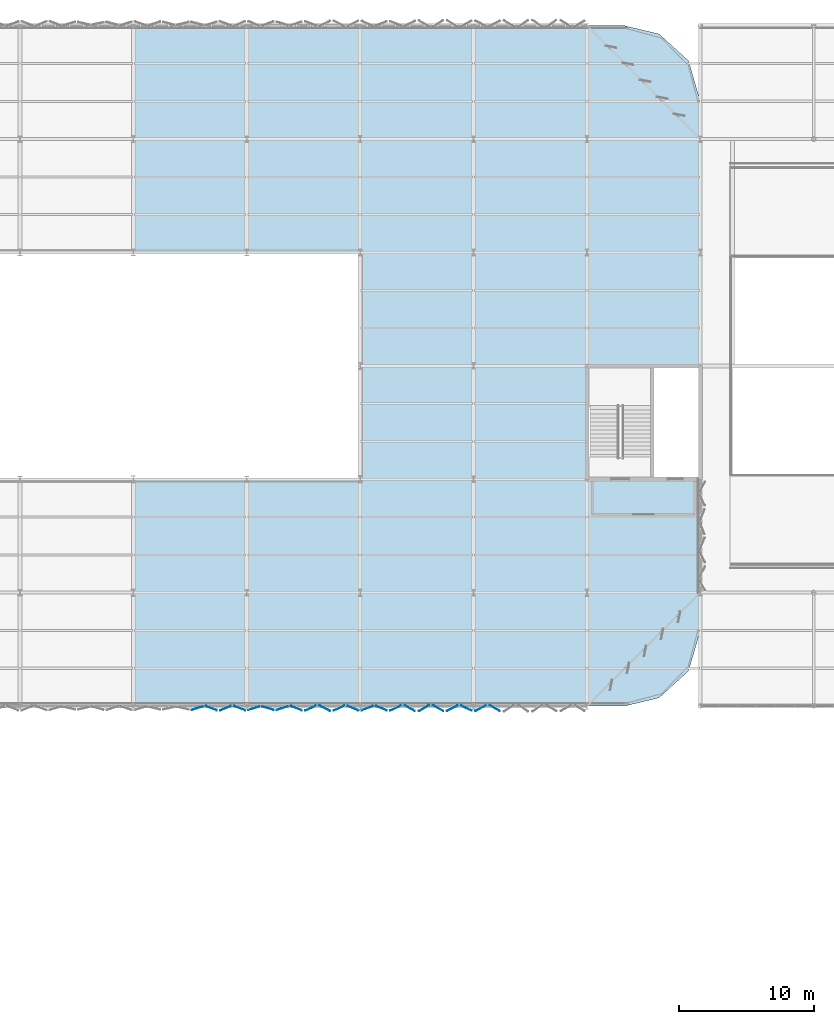
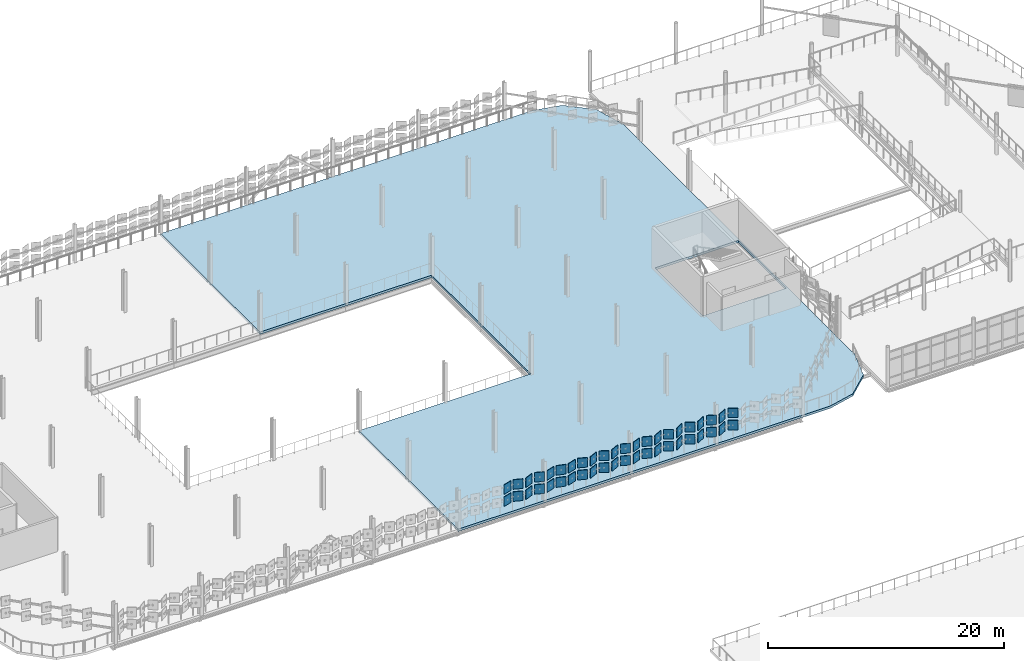
# One storey, part 40 of 69: 44 plates, 1 slab.
"""IFC4 building model written with IfcOpenShell, lengths in metres."""

from ifc_helpers import new_model, si_unit, direction, frame, origin, origin_2d, place, context, subcontext, project, spatial, polyline, rectangle, outline, extrude, material, layer, layer_set, type_object, element, save


model = new_model("IFC4")

# Units and contexts
model_context = context("Model", 3, precision=1e-05, world=origin(), true_north=direction((0.0, 1.0)))
body_context = subcontext(model_context, "Body", "Model", "MODEL_VIEW")
ifc_project = project(units=[si_unit("LENGTHUNIT", "METRE"), si_unit("AREAUNIT", "SQUARE_METRE"), si_unit("VOLUMEUNIT", "CUBIC_METRE"), si_unit("PLANEANGLEUNIT", "RADIAN"), si_unit("MASSUNIT", "GRAM", prefix="KILO")], contexts=[model_context])

# Site, building, storey
site_placement = place(None, origin())
site = spatial("IfcSite", under=ifc_project, at=site_placement, CompositionType="ELEMENT")
building_placement = place(site_placement, origin())
building = spatial("IfcBuilding", under=site, at=building_placement, Name="Qalvenar Corner Mobility Hub", CompositionType="ELEMENT")
storey_placement = place(building_placement, frame((0.0, 0.0, 13.199951171875)))
storey = spatial("IfcBuildingStorey", under=building, at=storey_placement, Name="L03", CompositionType="ELEMENT", Elevation=13.199951171875)

# Plates
ifc_material_1 = material(Name="Verdigris-Celadon Anodised Aluminium", Category="aluminium")
ifc_layer_1 = layer(ifc_material_1, 0.0419921875)
ifc_layer_set_1 = layer_set([ifc_layer_1], Name="Verdigris-Celadon Anodised Aluminium")
plate_type = type_object("IfcPlateType", Name="PLT-XC-L3-STD", PredefinedType="SHEET", material=ifc_layer_set_1)
for number, where, z_axis, x_axis, name in (
    (1, (105.52490234375, 67.0400390625, 1.010009765625), (0.0, 0.0, 1.0), (0.95767190194, 0.287861995122, 0.0), "Hinged Facade Panel FP-L03-0793"),
    (2, (105.52490234375, 67.0400390625, 2.260009765625), (0.0, 0.0, 1.0), (0.95767190194, 0.287861995122, 0.0), "Hinged Facade Panel FP-L03-0794"),
    (3, (106.574951171875, 67.0400390625, 1.010009765625), (0.0, 0.0, 1.0), (0.935936662809, -0.352168373381, 0.0), "Hinged Facade Panel FP-L03-0795"),
    (4, (106.574951171875, 67.0400390625, 2.260009765625), (0.0, 0.0, 1.0), (0.935936662809, -0.352168373381, 0.0), "Hinged Facade Panel FP-L03-0796"),
    (5, (107.625, 67.0400390625, 1.010009765625), (0.0, 0.0, 1.0), (0.924944582565, 0.38010198524, 0.0), "Hinged Facade Panel FP-L03-0797"),
    (6, (107.625, 67.0400390625, 2.260009765625), (0.0, 0.0, 1.0), (0.924944582565, 0.38010198524, 0.0), "Hinged Facade Panel FP-L03-0798"),
    (7, (108.675048828125, 67.0400390625, 1.010009765625), (0.0, 0.0, 1.0), (0.933204632634, -0.359345396006, 0.0), "Hinged Facade Panel FP-L03-0799"),
    (8, (108.675048828125, 67.0400390625, 2.260009765625), (0.0, 0.0, 1.0), (0.933204632634, -0.359345396006, 0.0), "Hinged Facade Panel FP-L03-0800"),
    (9, (109.72509765625, 67.0400390625, 1.010009765625), (0.0, 0.0, 1.0), (0.949862968197, 0.312666502279, 0.0), "Hinged Facade Panel FP-L03-0801"),
    (10, (109.72509765625, 67.0400390625, 2.260009765625), (0.0, 0.0, 1.0), (0.949862968197, 0.312666502279, 0.0), "Hinged Facade Panel FP-L03-0802"),
    (11, (110.77490234375, 67.0400390625, 1.010009765625), (0.0, 0.0, 1.0), (0.959116629256, -0.28301111548, 0.0), "Hinged Facade Panel FP-L03-0803"),
    (12, (110.77490234375, 67.0400390625, 2.260009765625), (0.0, 0.0, 1.0), (0.959116629256, -0.28301111548, 0.0), "Hinged Facade Panel FP-L03-0804"),
    (13, (111.824951171875, 67.0400390625, 1.010009765625), (0.0, 0.0, 1.0), (0.953454172319, 0.301537959944, 0.0), "Hinged Facade Panel FP-L03-0805"),
    (14, (111.824951171875, 67.0400390625, 2.260009765625), (0.0, 0.0, 1.0), (0.953454172319, 0.301537959944, 0.0), "Hinged Facade Panel FP-L03-0806"),
    (15, (112.875, 67.0400390625, 1.010009765625), (0.0, 0.0, 1.0), (0.932513019588, -0.361136356933, 0.0), "Hinged Facade Panel FP-L03-0807"),
    (16, (112.875, 67.0400390625, 2.260009765625), (0.0, 0.0, 1.0), (0.932513019588, -0.361136356933, 0.0), "Hinged Facade Panel FP-L03-0808"),
    (17, (113.925048828125, 67.0400390625, 1.010009765625), (0.0, 0.0, 1.0), (0.906012522993, 0.423250880897, 0.0), "Hinged Facade Panel FP-L03-0809"),
    (18, (113.925048828125, 67.0400390625, 2.260009765625), (0.0, 0.0, 1.0), (0.906012522993, 0.423250880897, 0.0), "Hinged Facade Panel FP-L03-0810"),
    (19, (114.97509765625, 67.0400390625, 1.010009765625), (0.0, 0.0, 1.0), (0.893292953762, -0.449474914493, 0.0), "Hinged Facade Panel FP-L03-0811"),
    (20, (114.97509765625, 67.0400390625, 2.260009765625), (0.0, 0.0, 1.0), (0.893292953762, -0.449474914493, 0.0), "Hinged Facade Panel FP-L03-0812"),
    (21, (116.02490234375, 67.0400390625, 1.010009765625), (0.0, 0.0, 1.0), (0.903484964433, 0.428619783775, 0.0), "Hinged Facade Panel FP-L03-0813"),
    (22, (116.02490234375, 67.0400390625, 2.260009765625), (0.0, 0.0, 1.0), (0.903484964433, 0.428619783775, 0.0), "Hinged Facade Panel FP-L03-0814"),
    (23, (117.074951171875, 67.0400390625, 1.010009765625), (0.0, 0.0, 1.0), (0.9236790333, -0.383167122078, 0.0), "Hinged Facade Panel FP-L03-0815"),
    (24, (117.074951171875, 67.0400390625, 2.260009765625), (0.0, 0.0, 1.0), (0.9236790333, -0.383167122078, 0.0), "Hinged Facade Panel FP-L03-0816"),
    (25, (118.125, 67.0400390625, 1.010009765625), (0.0, 0.0, 1.0), (0.934825676396, 0.355106962408, 0.0), "Hinged Facade Panel FP-L03-0817"),
    (26, (118.125, 67.0400390625, 2.260009765625), (0.0, 0.0, 1.0), (0.934825676396, 0.355106962408, 0.0), "Hinged Facade Panel FP-L03-0818"),
    (27, (119.175048828125, 67.0400390625, 1.010009765625), (0.0, 0.0, 1.0), (0.927445153335, -0.373959205738, 0.0), "Hinged Facade Panel FP-L03-0819"),
    (28, (119.175048828125, 67.0400390625, 2.260009765625), (0.0, 0.0, 1.0), (0.927445153335, -0.373959205738, 0.0), "Hinged Facade Panel FP-L03-0820"),
    (29, (120.22509765625, 67.0400390625, 1.010009765625), (0.0, 0.0, 1.0), (0.90175709948, 0.432243141689, 0.0), "Hinged Facade Panel FP-L03-0821"),
    (30, (120.22509765625, 67.0400390625, 2.260009765625), (0.0, 0.0, 1.0), (0.90175709948, 0.432243141689, 0.0), "Hinged Facade Panel FP-L03-0822"),
    (31, (121.27490234375, 67.0400390625, 1.010009765625), (0.0, 0.0, 1.0), (0.870699260309, -0.49181581725, 0.0), "Hinged Facade Panel FP-L03-0823"),
    (32, (121.27490234375, 67.0400390625, 2.260009765625), (0.0, 0.0, 1.0), (0.870699260309, -0.49181581725, 0.0), "Hinged Facade Panel FP-L03-0824"),
    (33, (122.324951171875, 67.0400390625, 1.010009765625), (0.0, 0.0, 1.0), (0.856537423431, 0.516084917685, 0.0), "Hinged Facade Panel FP-L03-0825"),
    (34, (122.324951171875, 67.0400390625, 2.260009765625), (0.0, 0.0, 1.0), (0.856537423431, 0.516084917685, 0.0), "Hinged Facade Panel FP-L03-0826"),
    (35, (123.375, 67.0400390625, 1.010009765625), (0.0, 0.0, 1.0), (0.868717975058, -0.495307056088, 0.0), "Hinged Facade Panel FP-L03-0827"),
    (36, (123.375, 67.0400390625, 2.260009765625), (0.0, 0.0, 1.0), (0.868717975058, -0.495307056088, 0.0), "Hinged Facade Panel FP-L03-0828"),
    (37, (124.425048828125, 67.0400390625, 1.010009765625), (0.0, 0.0, 1.0), (0.892270829056, 0.451500573218, 0.0), "Hinged Facade Panel FP-L03-0829"),
    (38, (124.425048828125, 67.0400390625, 2.260009765625), (0.0, 0.0, 1.0), (0.892270829056, 0.451500573218, 0.0), "Hinged Facade Panel FP-L03-0830"),
    (39, (125.47509765625, 67.0400390625, 1.010009765625), (0.0, 0.0, 1.0), (0.905198270413, -0.424989518979, 0.0), "Hinged Facade Panel FP-L03-0831"),
    (40, (125.47509765625, 67.0400390625, 2.260009765625), (0.0, 0.0, 1.0), (0.905198270413, -0.424989518979, 0.0), "Hinged Facade Panel FP-L03-0832"),
    (41, (126.52490234375, 67.0400390625, 1.010009765625), (0.0, 0.0, 1.0), (0.895944447882, 0.444166124676, 0.0), "Hinged Facade Panel FP-L03-0833"),
    (42, (126.52490234375, 67.0400390625, 2.260009765625), (0.0, 0.0, 1.0), (0.895944447882, 0.444166124676, 0.0), "Hinged Facade Panel FP-L03-0834"),
    (43, (127.574951171875, 67.0400390625, 1.010009765625), (0.0, 0.0, 1.0), (0.865501330253, -0.500906625361, 0.0), "Hinged Facade Panel FP-L03-0835"),
    (44, (127.574951171875, 67.0400390625, 2.260009765625), (0.0, 0.0, 1.0), (0.865501330253, -0.500906625361, 0.0), "Hinged Facade Panel FP-L03-0836"),
):
    element("IfcPlate", number, at=place(storey_placement, frame(where, z_axis=z_axis, x_axis=x_axis)), inside=storey, type_object=plate_type, Name=name, PredefinedType="SHEET", context=body_context, shape_type="SweptSolid", body=[
        extrude(rectangle(XDim=0.860107421875, YDim=0.0419921875, at=origin_2d()), origin(), (0.0, 0.0, 1.0), 0.97998046875),
    ])

# Slab
ifc_material_2 = material(Name="Concrete C35/45", Category="concrete")
ifc_layer_2 = layer(ifc_material_2, 0.239990234375)
ifc_layer_set_2 = layer_set([ifc_layer_2], Name="Concrete C35/45")
slab_type = type_object("IfcSlabType", Name="SLB-COMP200", PredefinedType="FLOOR", material=ifc_layer_set_2)
slab_placement = place(storey_placement, frame((0.0, 0.0, -0.239990234375)))
element("IfcSlab", 45, at=slab_placement, inside=storey, type_object=slab_type, Name="Composite Deck V4-E-L03", PredefinedType="FLOOR", context=body_context, shape_type="SweptSolid", body=[
    extrude(outline(polyline([(100.800048828125, 67.199951171875), (137.199951171875, 67.199951171875), (139.7421875, 67.810302734375), (141.92822265625, 69.79931640625), (142.800048828125, 72.800048828125), (142.800048828125, 112.0), (141.92822265625, 115.00048828125), (139.7421875, 116.989501953125), (137.199951171875, 117.60009765625), (100.800048828125, 117.60009765625), (100.800048828125, 100.800048828125), (117.60009765625, 100.800048828125), (117.60009765625, 84.0), (100.800048828125, 84.0), (100.800048828125, 67.199951171875)]), holes=[polyline([(134.530029296875, 84.1298828125), (142.669921875, 84.1298828125), (142.669921875, 92.27001953125), (134.530029296875, 92.27001953125), (134.530029296875, 84.1298828125)])]), origin(), (0.0, 0.0, 1.0), 0.239990234375),
])

save(model, "model.ifc")
